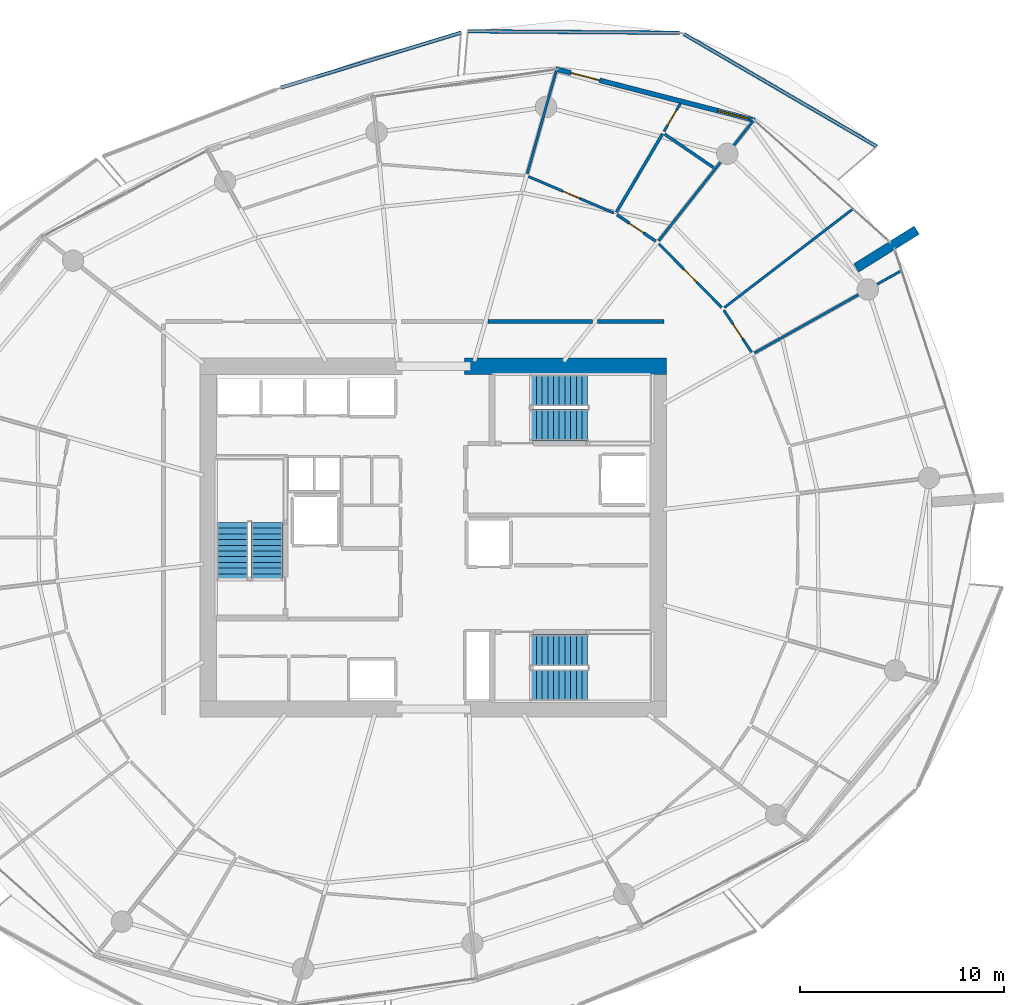
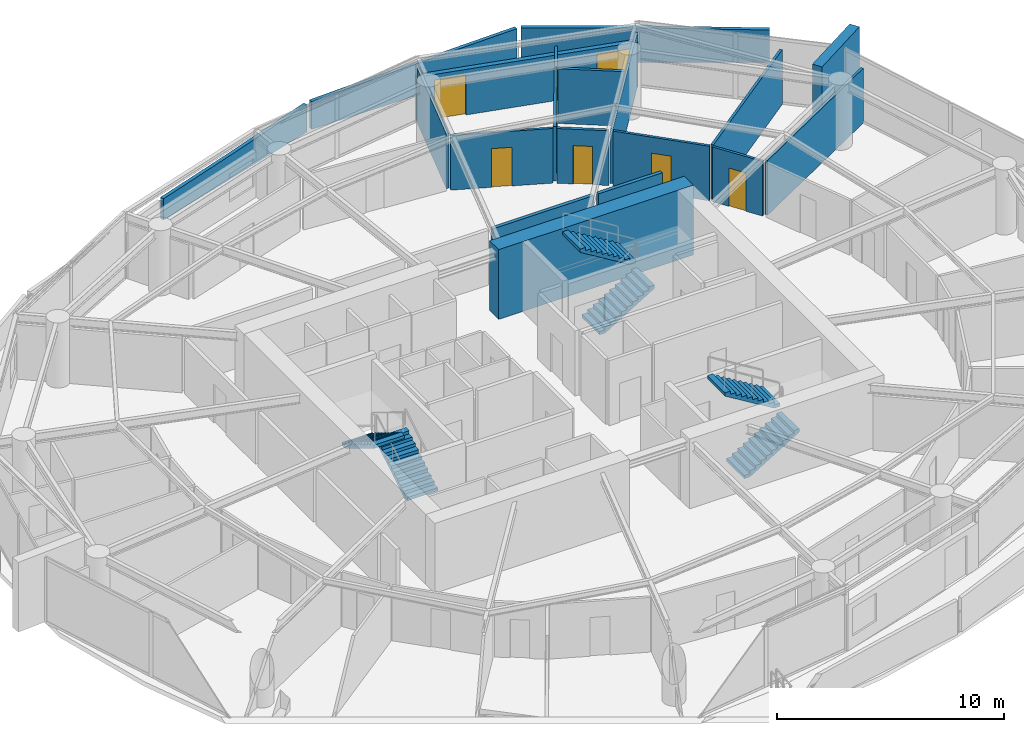
# One storey, part 15 of 20: 19 walls, 6 doors, 6 stair flights, 1 window, 7 openings, 3 elements without a shape of their own.
"""IFC4 building model written with IfcOpenShell, lengths in metres."""

import ifcopenshell
import ifcopenshell.guid

model = None  # the IFC model being written
_history = None  # IfcOwnerHistory: only IFC2X3 demands one
_inside = {}  # id of a spatial element -> (the spatial element, [elements in it])
_under = {}  # id of a project, library or spatial element -> (it, [spatial elements below it])
_declared = {}  # id of a project -> (the project, [libraries it declares])
_typed = {}  # id of a type object -> (the type object, [elements of that type])
_made_of = {}  # id of a material, layer set ... -> (it, [elements and type objects made of it])


def new_model(schema):
    """Start an empty IFC model of exactly this schema.

    Asked for "IFC4X3", IfcOpenShell would pick the latest addendum, in which some entities
    have other attributes; the version numbers below select the first issue.
    IFC2X3 requires an IfcOwnerHistory on every rooted entity: one is made here for all.
    """
    global model, _history
    if schema == "IFC4X3":
        model = ifcopenshell.file(schema_version=(4, 3, 0, 0))
    else:
        model = ifcopenshell.file(schema=schema)
    _inside.clear()
    _under.clear()
    _declared.clear()
    _typed.clear()
    _made_of.clear()
    _history = None
    if model.schema == "IFC2X3":
        org = make("IfcOrganization", Name="unknown")
        user = make(
            "IfcPersonAndOrganization",
            ThePerson=make("IfcPerson", FamilyName="unknown"),
            TheOrganization=org,
        )
        app = make(
            "IfcApplication",
            ApplicationDeveloper=org,
            Version="unknown",
            ApplicationFullName="unknown",
            ApplicationIdentifier="unknown",
        )
        _history = make(
            "IfcOwnerHistory",
            OwningUser=user,
            OwningApplication=app,
            ChangeAction="ADDED",
            CreationDate=0,
        )
    return model


def make(cls, **values):
    """One entity of the class cls with the attributes given. An attribute that is None is left unset."""
    return model.create_entity(
        cls, **{name: value for name, value in values.items() if value is not None}
    )


def rooted(cls, **values):
    """An entity with a GlobalId (a new one), such as an element, a storey or a relation."""
    return make(cls, GlobalId=ifcopenshell.guid.new(), OwnerHistory=_history, **values)


def si_unit(unit_type, name, prefix=None):
    """IfcSIUnit, for example si_unit("LENGTHUNIT", "METRE", prefix="MILLI")."""
    return make("IfcSIUnit", UnitType=unit_type, Prefix=prefix, Name=name)


def assignment(units):
    """IfcUnitAssignment: the units of a project."""
    return None if units is None else make("IfcUnitAssignment", Units=units)


def point(xyz):
    """IfcCartesianPoint."""
    return None if xyz is None else make("IfcCartesianPoint", Coordinates=xyz)


def direction(xyz):
    """IfcDirection."""
    return None if xyz is None else make("IfcDirection", DirectionRatios=xyz)


def frame(location, z_axis=None, x_axis=None):
    """IfcAxis2Placement3D, a coordinate frame: its origin and axes. An axis left out is left unset."""
    return make(
        "IfcAxis2Placement3D",
        Location=point(location),
        Axis=direction(z_axis),
        RefDirection=direction(x_axis),
    )


def frame_2d(location, x_axis=None):
    """IfcAxis2Placement2D, a coordinate frame in the plane: its origin and x axis."""
    return make(
        "IfcAxis2Placement2D", Location=point(location), RefDirection=direction(x_axis)
    )


def origin():
    """The frame at (0, 0, 0) with its axes left unset."""
    return frame((0.0, 0.0, 0.0))


def place(relative_to, where):
    """IfcLocalPlacement: puts the frame where relative to a parent placement (None: the world)."""
    return make(
        "IfcLocalPlacement", PlacementRelTo=relative_to, RelativePlacement=where
    )


def context(
    kind, dimensions, precision=None, world=None, true_north=None, identifier=None
):
    """IfcGeometricRepresentationContext, for example the 3D "Model" context."""
    return make(
        "IfcGeometricRepresentationContext",
        ContextIdentifier=identifier,
        ContextType=kind,
        CoordinateSpaceDimension=dimensions,
        Precision=precision,
        WorldCoordinateSystem=world,
        TrueNorth=true_north,
    )


def subcontext(parent, identifier, kind, view, scale=None):
    """IfcGeometricRepresentationSubContext, for example "Body" below "Model"."""
    return make(
        "IfcGeometricRepresentationSubContext",
        ContextIdentifier=identifier,
        ContextType=kind,
        ParentContext=parent,
        TargetScale=scale,
        TargetView=view,
    )


def project(units=None, contexts=None):
    """IfcProject with its units and contexts."""
    return rooted(
        "IfcProject",
        Name="project",
        RepresentationContexts=contexts,
        UnitsInContext=assignment(units),
    )


def spatial(cls, under=None, at=None, **own):
    """A site, building, storey or space (cls), placed at a placement, below another one or the project."""
    s = rooted(cls, ObjectPlacement=at, **own)
    if under is not None:
        _under.setdefault(under.id(), (under, []))[1].append(s)
    return s


def polyline(points):
    """IfcPolyline through the points."""
    return make("IfcPolyline", Points=[point(p) for p in points])


def profile(cls, at=None, kind="AREA", **sizes):
    """A parametric profile (cls). Its sizes go by their IFC names, for example OverallWidth=200.0."""
    return make(cls, ProfileType=kind, Position=at, **sizes)


def rectangle(**sizes):
    """IfcRectangleProfileDef."""
    return profile("IfcRectangleProfileDef", **sizes)


def outline(outer, holes=None, kind="AREA"):
    """IfcArbitraryClosedProfileDef: a profile drawn as a closed curve; with holes, ...WithVoids."""
    if holes is None:
        return make("IfcArbitraryClosedProfileDef", ProfileType=kind, OuterCurve=outer)
    return make(
        "IfcArbitraryProfileDefWithVoids",
        ProfileType=kind,
        OuterCurve=outer,
        InnerCurves=holes,
    )


def extrude(swept, where, along, depth):
    """IfcExtrudedAreaSolid: the profile swept, set in the frame where, extruded along a direction by depth."""
    return make(
        "IfcExtrudedAreaSolid",
        SweptArea=swept,
        Position=where,
        ExtrudedDirection=direction(along),
        Depth=depth,
    )


def shape(context_of_items, identifier, shape_type, items):
    """IfcShapeRepresentation: the items that make up one representation, for example the "Body"."""
    return make(
        "IfcShapeRepresentation",
        ContextOfItems=context_of_items,
        RepresentationIdentifier=identifier,
        RepresentationType=shape_type,
        Items=items,
    )


def material(Name=None, Category=None):
    """IfcMaterial."""
    return make("IfcMaterial", Name=Name, Category=Category)


def layer(
    of_material, thickness, ventilated=None, Name=None, Category=None, Priority=None
):
    """IfcMaterialLayer: one layer of a wall or slab, of a material (None: an air gap)."""
    return make(
        "IfcMaterialLayer",
        Material=of_material,
        LayerThickness=thickness,
        IsVentilated=ventilated,
        Name=Name,
        Category=Category,
        Priority=Priority,
    )


def layer_set(layers, Name=None):
    """IfcMaterialLayerSet."""
    return make("IfcMaterialLayerSet", MaterialLayers=layers, LayerSetName=Name)


def made_of(thing, what):
    """Note that an element or type object is made of a material, layer set ...; save() writes the relation."""
    if what is not None:
        _made_of.setdefault(what.id(), (what, []))[1].append(thing)
    return thing


def type_object(cls, material=None, **own):
    """A type object (cls), such as IfcWallType, which elements share."""
    return made_of(rooted(cls, **own), material)


def element(
    cls,
    number,
    at=None,
    inside=None,
    cuts=None,
    type_object=None,
    material=None,
    context=None,
    identifier="Body",
    shape_type=None,
    held_by="IfcProductDefinitionShape",
    body=None,
    shapes=None,
    **own,
):
    """One element of the class cls, such as IfcWall. Its Tag is "e" and its number.

    at: its placement. inside: the storey or other place that contains it. cuts: it is an
    opening in that element (IfcRelVoidsElement). A single representation is given by context,
    identifier, shape_type and body (its items); several are given by shapes. held_by: the class
    of the entity that holds the representations. save() writes the other relations.
    """
    e = rooted(cls, Tag="e%d" % number, ObjectPlacement=at, **own)
    if body is not None:
        shapes = [shape(context, identifier, shape_type, body)]
    if shapes is not None:
        e.Representation = make(held_by, Representations=shapes)
    if inside is not None:
        _inside.setdefault(inside.id(), (inside, []))[1].append(e)
    if cuts is not None:
        rooted(
            "IfcRelVoidsElement", RelatingBuildingElement=cuts, RelatedOpeningElement=e
        )
    if type_object is not None:
        _typed.setdefault(type_object.id(), (type_object, []))[1].append(e)
    return made_of(e, material)


def fill(opening, filler):
    """IfcRelFillsElement: the door or window that sits in an opening."""
    return rooted(
        "IfcRelFillsElement",
        RelatingOpeningElement=opening,
        RelatedBuildingElement=filler,
    )


def aggregate(whole, parts):
    """IfcRelAggregates: a whole, such as a stair, and the parts it consists of."""
    return rooted("IfcRelAggregates", RelatingObject=whole, RelatedObjects=parts)


def save(model, path):
    """Write the relations noted so far, then the file.

    IfcRelAggregates (storeys below a building ...), IfcRelContainedInSpatialStructure (elements
    in a storey), IfcRelDefinesByType, IfcRelAssociatesMaterial and IfcRelDeclares: one each for
    every whole, place, type object, material and project.
    """
    for whole, parts in _under.values():
        aggregate(whole, parts)
    for where, things in _inside.values():
        rooted(
            "IfcRelContainedInSpatialStructure",
            RelatedElements=things,
            RelatingStructure=where,
        )
    for kind, things in _typed.values():
        rooted("IfcRelDefinesByType", RelatedObjects=things, RelatingType=kind)
    for what, things in _made_of.values():
        rooted("IfcRelAssociatesMaterial", RelatedObjects=things, RelatingMaterial=what)
    for by, libraries in _declared.values():
        rooted("IfcRelDeclares", RelatingContext=by, RelatedDefinitions=libraries)
    model.write(path)


model = new_model("IFC4")

# Units and contexts
model_context = context("Model", 3, precision=1e-05, world=origin(), true_north=direction((0.0, 1.0)))
body_context = subcontext(model_context, "Body", "Model", "MODEL_VIEW")
ifc_project = project(units=[si_unit("LENGTHUNIT", "METRE"), si_unit("AREAUNIT", "SQUARE_METRE"), si_unit("VOLUMEUNIT", "CUBIC_METRE"), si_unit("PLANEANGLEUNIT", "RADIAN"), si_unit("MASSUNIT", "GRAM", prefix="KILO")], contexts=[model_context])

# Site, building, storey
site_placement = place(None, origin())
site = spatial("IfcSite", under=ifc_project, at=site_placement, CompositionType="ELEMENT")
building_placement = place(site_placement, origin())
building = spatial("IfcBuilding", under=site, at=building_placement, Name="Kazma Halo Residences", CompositionType="ELEMENT")
storey_placement = place(building_placement, frame((0.0, 0.0, 135.300048828125)))
storey = spatial("IfcBuildingStorey", under=building, at=storey_placement, Name="L33", CompositionType="ELEMENT", Elevation=135.300048828125)

# Walls
ifc_material_1 = material(Name="White Concrete C50/60 Balustrade", Category="concrete")
ifc_layer_1 = layer(ifc_material_1, 0.179931640625)
ifc_layer_set_1 = layer_set([ifc_layer_1], Name="White Concrete C50/60 Balustrade")
wall_type_1 = type_object("IfcWallType", Name="WL-BAL-WAVE-180", PredefinedType="PARAPET", material=ifc_layer_set_1)
wall_1_placement = place(storey_placement, frame((70.179931640625, 61.17919921875, 0.0), z_axis=(0.0, 0.0, 1.0), x_axis=(-0.863978518166, 0.503528668645, 0.0)))
element("IfcWall", 1, at=wall_1_placement, inside=storey, type_object=wall_type_1, Name="L33 white wave balustrade wall NE.1", PredefinedType="PARAPET", context=body_context, shape_type="SweptSolid", body=[
    extrude(outline(polyline([(0.0, 0.0), (10.952880859375, 0.0), (10.952880859375, 1.83203125), (5.4765625, 1.85302734375), (0.0, 1.755859375), (0.0, 0.0)])), frame((0.0, 0.08984375, 0.0), z_axis=(0.0, -1.0, 0.0), x_axis=(1.0, 0.0, 0.0)), (0.0, 0.0, 1.0), 0.179931640625),
])
wall_2_placement = place(storey_placement, frame((60.4931640625, 66.755615234375, 0.0), z_axis=(0.0, 0.0, 1.0), x_axis=(-0.999973451482, 0.007286723002, 0.0)))
element("IfcWall", 2, at=wall_2_placement, inside=storey, type_object=wall_type_1, Name="L33 white wave balustrade wall NE.2", PredefinedType="PARAPET", context=body_context, shape_type="SweptSolid", body=[
    extrude(outline(polyline([(0.0, 0.0), (10.386474609375, 0.0), (10.386474609375, 1.4970703125), (5.193115234375, 1.696044921875), (0.0, 1.83203125), (0.0, 0.0)])), frame((0.0, 0.08984375, 0.0), z_axis=(0.0, -1.0, 0.0), x_axis=(1.0, 0.0, 0.0)), (0.0, 0.0, 1.0), 0.179931640625),
])
wall_3_placement = place(storey_placement, frame((49.797119140625, 66.767578125, 0.0), z_axis=(0.0, 0.0, 1.0), x_axis=(-0.956413465024, -0.292015896691, 0.0)))
element("IfcWall", 3, at=wall_3_placement, inside=storey, type_object=wall_type_1, Name="L33 white wave balustrade wall NNW.1", PredefinedType="PARAPET", context=body_context, shape_type="SweptSolid", body=[
    extrude(outline(polyline([(0.0, 0.0), (9.244140625, 0.0), (9.244140625, 1.14794921875), (4.6220703125, 1.283935546875), (0.0, 1.48291015625), (0.0, 0.0)])), frame((0.0, 0.08984375, 0.0), z_axis=(0.0, -1.0, 0.0), x_axis=(1.0, 0.0, 0.0)), (0.0, 0.0, 1.0), 0.179931640625),
])
ifc_material_2 = material(Name="Pale Concrete C60/75", Category="concrete")
ifc_layer_2 = layer(ifc_material_2, 0.47998046875)
ifc_layer_set_2 = layer_set([ifc_layer_2], Name="Pale Concrete C60/75")
wall_type_2 = type_object("IfcWallType", Name="WL-BLADE-480", PredefinedType="SOLIDWALL", material=ifc_layer_set_2)
wall_4_placement = place(storey_placement, frame((69.165283203125, 55.2255859375, 0.0), z_axis=(0.0, 0.0, 1.0), x_axis=(0.848053161125, 0.529911158502, 0.0)))
element("IfcWall", 4, at=wall_4_placement, inside=storey, type_object=wall_type_2, Name="L33 pale concrete structural blade fin wall BW-01", PredefinedType="SOLIDWALL", context=body_context, shape_type="SweptSolid", body=[
    extrude(rectangle(XDim=3.5, YDim=0.47998046875, at=frame_2d((1.75, 0.0))), origin(), (0.0, 0.0, 1.0), 3.75),
])
ifc_material_3 = material(Name="Concrete C80/95", Category="concrete")
ifc_layer_3 = layer(ifc_material_3, 0.800048828125)
ifc_layer_set_3 = layer_set([ifc_layer_3], Name="Concrete C80/95")
wall_type_3 = type_object("IfcWallType", Name="WL-CORE-800", PredefinedType="SHEAR", material=ifc_layer_set_3)
wall_5_placement = place(storey_placement, frame((49.949951171875, 50.39990234375, 0.0), z_axis=(0.0, 0.0, 1.0), x_axis=(1.0, 0.0, 0.0)))
element("IfcWall", 5, at=wall_5_placement, inside=storey, type_object=wall_type_3, Name="L33 central core shear wall NE", PredefinedType="SHEAR", context=body_context, shape_type="SweptSolid", body=[
    extrude(rectangle(XDim=9.900146484375, YDim=0.800048828125, at=frame_2d((4.9501953125, 0.0))), origin(), (0.0, 0.0, 1.0), 3.75),
])
ifc_material_4 = material(Name="Acoustic Twin-Stud Gypsum")
ifc_layer_4 = layer(ifc_material_4, 0.179931640625)
ifc_layer_set_4 = layer_set([ifc_layer_4], Name="Acoustic Twin-Stud Gypsum")
wall_type_4 = type_object("IfcWallType", Name="WL-DEM-180", PredefinedType="PARTITIONING", material=ifc_layer_set_4)
wall_6_placement = place(storey_placement, frame((59.72998046875, 52.60009765625, 0.0), z_axis=(0.0, 0.0, 1.0), x_axis=(-1.0, 0.0, 0.0)))
element("IfcWall", 6, at=wall_6_placement, inside=storey, type_object=wall_type_4, Name="L33 Apartment 2 inner wall 0", PredefinedType="PARTITIONING", context=body_context, shape_type="SweptSolid", body=[
    extrude(rectangle(XDim=3.253662109375, YDim=0.179931640625, at=frame_2d((1.626953125, 0.0))), origin(), (0.0, 0.0, 1.0), 2.93994140625),
])
wall_7_placement = place(storey_placement, frame((56.236328125, 52.60009765625, 0.0), z_axis=(0.0, 0.0, 1.0), x_axis=(-1.0, 0.0, 0.0)))
element("IfcWall", 7, at=wall_7_placement, inside=storey, type_object=wall_type_4, Name="L33 Apartment 2 inner wall 1", PredefinedType="PARTITIONING", context=body_context, shape_type="SweptSolid", body=[
    extrude(rectangle(XDim=5.126708984375, YDim=0.179931640625, at=frame_2d((2.5634765625, 0.0))), origin(), (0.0, 0.0, 1.0), 2.93994140625),
])

# Wall, openings, door, window
ifc_material_5 = material(Name="Insulated Pale-Metal Composite Wall")
ifc_layer_5 = layer(ifc_material_5, 0.239990234375)
ifc_layer_set_5 = layer_set([ifc_layer_5], Name="Insulated Pale-Metal Composite Wall")
wall_type_5 = type_object("IfcWallType", Name="WL-EXT-HOST-240", PredefinedType="SOLIDWALL", material=ifc_layer_set_5)
wall_8_placement = place(storey_placement, frame((64.192138671875, 62.4658203125, 0.0), z_axis=(0.0, 0.0, 1.0), x_axis=(-0.968379685126, 0.249481032214, 0.0)))
wall_8 = element("IfcWall", 8, at=wall_8_placement, inside=storey, type_object=wall_type_5, Name="L33 exterior terrace-access wall B02", PredefinedType="SOLIDWALL", context=body_context, shape_type="SweptSolid", body=[
    extrude(rectangle(XDim=10.08154296875, YDim=0.239990234375, at=frame_2d((5.040771484375, 0.0))), origin(), (0.0, 0.0, 1.0), 2.449951171875),
])
opening_1_placement = place(wall_8_placement, frame((7.861572265625, 0.0, 0.0)))
opening_1 = element("IfcOpeningElement", 9, at=opening_1_placement, cuts=wall_8, Name="Opening DTR-1600", PredefinedType="OPENING", context=body_context, shape_type="SweptSolid", body=[
    extrude(rectangle(XDim=1.449951171875, YDim=2.14990234375, at=frame_2d((0.72509765625, 1.074951171875))), frame((0.0, 0.1298828125, 0.0), z_axis=(0.0, -1.0, 0.0), x_axis=(1.0, 0.0, 0.0)), (0.0, 0.0, 1.0), 0.260009765625),
])
opening_2_placement = place(wall_8_placement, frame((0.280029296875, 0.0, 0.64990234375)))
opening_2 = element("IfcOpeningElement", 10, at=opening_2_placement, cuts=wall_8, Name="Opening W-1800", PredefinedType="OPENING", context=body_context, shape_type="SweptSolid", body=[
    extrude(rectangle(XDim=1.60009765625, YDim=1.5, at=frame_2d((0.800048828125, 0.75))), frame((0.0, 0.1298828125, 0.0), z_axis=(0.0, -1.0, 0.0), x_axis=(1.0, 0.0, 0.0)), (0.0, 0.0, 1.0), 0.260009765625),
])
ifc_material_6 = material(Name="Aluminium AW-6063 T6 Double-Glazed Terrace Door", Category="aluminium")
door_type_1 = type_object("IfcDoorType", Name="DR-EXT-TERR-1600", OperationType="NOTDEFINED", PredefinedType="DOOR", material=ifc_material_6)
door_1_placement = place(opening_1_placement, origin())
door_1 = element("IfcDoor", 11, at=door_1_placement, inside=storey, type_object=door_type_1, Name="L33 B02 balcony terrace door", OperationType="DOUBLE_DOOR_SLIDING", OverallHeight=2.14990234375, OverallWidth=1.449951171875, PredefinedType="DOOR", context=body_context, shape_type="SweptSolid", body=[
    extrude(rectangle(XDim=1.449951171875, YDim=2.14990234375, at=frame_2d((0.72509765625, 1.074951171875))), frame((0.0, 0.02490234375, 0.0), z_axis=(0.0, -1.0, 0.0), x_axis=(1.0, 0.0, 0.0)), (0.0, 0.0, 1.0), 0.050048828125),
])
fill(opening_1, door_1)
ifc_material_7 = material(Name="Clear Triple-Silver Low-E Glass in Aluminium AW-6063 T6 Frame", Category="aluminium")
window_type = type_object("IfcWindowType", Name="WIN-RES-1800", PartitioningType="DOUBLE_PANEL_VERTICAL", PredefinedType="WINDOW", material=ifc_material_7)
window_placement = place(opening_2_placement, origin())
window = element("IfcWindow", 12, at=window_placement, inside=storey, type_object=window_type, Name="L33 B02 apartment window", OverallHeight=1.5, OverallWidth=1.60009765625, PartitioningType="SINGLE_PANEL", PredefinedType="WINDOW", context=body_context, shape_type="SweptSolid", body=[
    extrude(rectangle(XDim=1.60009765625, YDim=1.5, at=frame_2d((0.800048828125, 0.75))), frame((0.0, 0.030029296875, 0.0), z_axis=(0.0, -1.0, 0.0), x_axis=(1.0, 0.0, 0.0)), (0.0, 0.0, 1.0), 0.06005859375),
])
fill(opening_2, window)

# Walls
ifc_material_8 = material(Name="Gypsum Plasterboard Partition")
ifc_layer_6 = layer(ifc_material_8, 0.125)
ifc_layer_set_6 = layer_set([ifc_layer_6], Name="Gypsum Plasterboard Partition")
wall_type_6 = type_object("IfcWallType", Name="WL-PART-125", PredefinedType="PARTITIONING", material=ifc_layer_set_6)
wall_9_placement = place(storey_placement, frame((64.17529296875, 51.05859375, 0.0), z_axis=(0.0, 0.0, 1.0), x_axis=(0.872491881101, 0.488628608877, 0.0)))
element("IfcWall", 13, at=wall_9_placement, inside=storey, type_object=wall_type_6, Name="L33 Apartment 2 radial partition 0", PredefinedType="PARTITIONING", context=body_context, shape_type="SweptSolid", body=[
    extrude(rectangle(XDim=8.2470703125, YDim=0.125, at=frame_2d((4.12353515625, 0.0))), origin(), (0.0, 0.0, 1.0), 2.93994140625),
])
wall_10_placement = place(storey_placement, frame((62.698486328125, 53.28173828125, 0.0), z_axis=(0.0, 0.0, 1.0), x_axis=(0.793282323501, 0.608853968715, 0.0)))
element("IfcWall", 14, at=wall_10_placement, inside=storey, type_object=wall_type_6, Name="L33 Apartment 2 mid-bay wall 0", PredefinedType="PARTITIONING", context=body_context, shape_type="SweptSolid", body=[
    extrude(rectangle(XDim=7.92138671875, YDim=0.125, at=frame_2d((3.960693359375, 0.0))), origin(), (0.0, 0.0, 1.0), 2.93994140625),
])

# Wall, opening, door
wall_11_placement = place(storey_placement, frame((64.032958984375, 51.09326171875, 0.0), z_axis=(0.0, 0.0, 1.0), x_axis=(-0.550185204933, 0.835042657756, 0.0)))
wall_11 = element("IfcWall", 15, at=wall_11_placement, inside=storey, type_object=wall_type_6, Name="L33 Apartment 2 North Dressing Wardrobe hall wall", PredefinedType="PARTITIONING", context=body_context, shape_type="SweptSolid", body=[
    extrude(rectangle(XDim=2.47509765625, YDim=0.125, at=frame_2d((1.237548828125, 0.0))), origin(), (0.0, 0.0, 1.0), 2.93994140625),
])
opening_3_placement = place(wall_11_placement, frame((0.8125, 0.0, 0.0)))
opening_3 = element("IfcOpeningElement", 16, at=opening_3_placement, cuts=wall_11, Name="Opening DB-900", PredefinedType="OPENING", context=body_context, shape_type="SweptSolid", body=[
    extrude(rectangle(XDim=0.85009765625, YDim=2.06005859375, at=frame_2d((0.425048828125, 1.030029296875))), frame((0.0, 0.072509765625, 0.0), z_axis=(0.0, -1.0, 0.0), x_axis=(1.0, 0.0, 0.0)), (0.0, 0.0, 1.0), 0.14501953125),
])
ifc_material_9 = material(Name="Moisture-Sealed Timber Leaf", Category="wood")
door_type_2 = type_object("IfcDoorType", Name="DR-BTH-900", OperationType="NOTDEFINED", PredefinedType="DOOR", material=ifc_material_9)
door_2_placement = place(opening_3_placement, origin())
door_2 = element("IfcDoor", 17, at=door_2_placement, inside=storey, type_object=door_type_2, Name="L33 Apartment 2 North Dressing Wardrobe door", OperationType="SINGLE_SWING_RIGHT", OverallHeight=2.06005859375, OverallWidth=0.85009765625, PredefinedType="DOOR", context=body_context, shape_type="SweptSolid", body=[
    extrude(rectangle(XDim=0.85009765625, YDim=2.06005859375, at=frame_2d((0.425048828125, 1.030029296875))), frame((0.0, 0.02490234375, 0.0), z_axis=(0.0, -1.0, 0.0), x_axis=(1.0, 0.0, 0.0)), (0.0, 0.0, 1.0), 0.050048828125),
])
fill(opening_3, door_2)

wall_12_placement = place(storey_placement, frame((62.571044921875, 53.28369140625, 0.0), z_axis=(0.0, 0.0, 1.0), x_axis=(-0.702505636164, 0.711678179487, 0.0)))
wall_12 = element("IfcWall", 18, at=wall_12_placement, inside=storey, type_object=wall_type_6, Name="L33 Apartment 2 South Master Bedroom hall wall", PredefinedType="PARTITIONING", context=body_context, shape_type="SweptSolid", body=[
    extrude(rectangle(XDim=4.3916015625, YDim=0.125, at=frame_2d((2.19580078125, 0.0))), origin(), (0.0, 0.0, 1.0), 2.93994140625),
])
opening_4_placement = place(wall_12_placement, frame((1.745849609375, 0.0, 0.0)))
opening_4 = element("IfcOpeningElement", 19, at=opening_4_placement, cuts=wall_12, Name="Opening DI-950", PredefinedType="OPENING", context=body_context, shape_type="SweptSolid", body=[
    extrude(rectangle(XDim=0.89990234375, YDim=2.080078125, at=frame_2d((0.449951171875, 1.0400390625))), frame((0.0, 0.072509765625, 0.0), z_axis=(0.0, -1.0, 0.0), x_axis=(1.0, 0.0, 0.0)), (0.0, 0.0, 1.0), 0.14501953125),
])
ifc_material_10 = material(Name="Timber Veneer Flush Leaf", Category="wood")
door_type_3 = type_object("IfcDoorType", Name="DR-INT-950", OperationType="NOTDEFINED", PredefinedType="DOOR", material=ifc_material_10)
door_3_placement = place(opening_4_placement, origin())
door_3 = element("IfcDoor", 20, at=door_3_placement, inside=storey, type_object=door_type_3, Name="L33 Apartment 2 South Master Bedroom door", OperationType="SINGLE_SWING_LEFT", OverallHeight=2.080078125, OverallWidth=0.89990234375, PredefinedType="DOOR", context=body_context, shape_type="SweptSolid", body=[
    extrude(rectangle(XDim=0.89990234375, YDim=2.080078125, at=frame_2d((0.449951171875, 1.0400390625))), frame((0.0, 0.02490234375, 0.0), z_axis=(0.0, -1.0, 0.0), x_axis=(1.0, 0.0, 0.0)), (0.0, 0.0, 1.0), 0.050048828125),
])
fill(opening_4, door_3)

# Wall
wall_13_placement = place(storey_placement, frame((59.477294921875, 56.55908203125, 0.0), z_axis=(0.0, 0.0, 1.0), x_axis=(0.619110986016, 0.785303499925, 0.0)))
element("IfcWall", 21, at=wall_13_placement, inside=storey, type_object=wall_type_6, Name="L33 Apartment 2 radial partition 1", PredefinedType="PARTITIONING", context=body_context, shape_type="SweptSolid", body=[
    extrude(rectangle(XDim=7.5126953125, YDim=0.125, at=frame_2d((3.75634765625, 0.0))), origin(), (0.0, 0.0, 1.0), 2.93994140625),
])

# Wall, opening, door
wall_14_placement = place(storey_placement, frame((59.7373046875, 61.91796875, 0.0), z_axis=(0.0, 0.0, 1.0), x_axis=(0.507633052519, 0.86157337702, 0.0)))
wall_14 = element("IfcWall", 22, at=wall_14_placement, inside=storey, type_object=wall_type_6, Name="L33 Apartment 2 Outer Walk-In Wardrobe partition wall", PredefinedType="PARTITIONING", context=body_context, shape_type="SweptSolid", body=[
    extrude(rectangle(XDim=1.583740234375, YDim=0.125, at=frame_2d((0.7919921875, 0.0))), origin(), (0.0, 0.0, 1.0), 2.93994140625),
])
opening_5_placement = place(wall_14_placement, frame((0.366943359375, 0.0, 0.0)))
opening_5 = element("IfcOpeningElement", 23, at=opening_5_placement, cuts=wall_14, Name="Opening DB-900", PredefinedType="OPENING", context=body_context, shape_type="SweptSolid", body=[
    extrude(rectangle(XDim=0.85009765625, YDim=2.06005859375, at=frame_2d((0.425048828125, 1.030029296875))), frame((0.0, 0.072509765625, 0.0), z_axis=(0.0, -1.0, 0.0), x_axis=(1.0, 0.0, 0.0)), (0.0, 0.0, 1.0), 0.14501953125),
])
door_4_placement = place(opening_5_placement, origin())
door_4 = element("IfcDoor", 24, at=door_4_placement, inside=storey, type_object=door_type_2, Name="L33 Apartment 2 Outer Walk-In Wardrobe door", OperationType="SINGLE_SWING_RIGHT", OverallHeight=2.06005859375, OverallWidth=0.85009765625, PredefinedType="DOOR", context=body_context, shape_type="SweptSolid", body=[
    extrude(rectangle(XDim=0.85009765625, YDim=2.06005859375, at=frame_2d((0.425048828125, 1.030029296875))), frame((0.0, 0.02490234375, 0.0), z_axis=(0.0, -1.0, 0.0), x_axis=(1.0, 0.0, 0.0)), (0.0, 0.0, 1.0), 0.050048828125),
])
fill(opening_5, door_4)

wall_15_placement = place(storey_placement, frame((57.278564453125, 57.92138671875, 0.0), z_axis=(0.0, 0.0, 1.0), x_axis=(-0.919613735451, 0.392823850561, 0.0)))
wall_15 = element("IfcWall", 25, at=wall_15_placement, inside=storey, type_object=wall_type_6, Name="L33 Apartment 2 Corner Master Bedroom hall wall", PredefinedType="PARTITIONING", context=body_context, shape_type="SweptSolid", body=[
    extrude(rectangle(XDim=4.546875, YDim=0.125, at=frame_2d((2.2734375, 0.0))), origin(), (0.0, 0.0, 1.0), 2.93994140625),
])
opening_6_placement = place(wall_15_placement, frame((1.823486328125, 0.0, 0.0)))
opening_6 = element("IfcOpeningElement", 26, at=opening_6_placement, cuts=wall_15, Name="Opening DI-950", PredefinedType="OPENING", context=body_context, shape_type="SweptSolid", body=[
    extrude(rectangle(XDim=0.89990234375, YDim=2.080078125, at=frame_2d((0.449951171875, 1.0400390625))), frame((0.0, 0.072509765625, 0.0), z_axis=(0.0, -1.0, 0.0), x_axis=(1.0, 0.0, 0.0)), (0.0, 0.0, 1.0), 0.14501953125),
])
door_5_placement = place(opening_6_placement, origin())
door_5 = element("IfcDoor", 27, at=door_5_placement, inside=storey, type_object=door_type_3, Name="L33 Apartment 2 Corner Master Bedroom door", OperationType="SINGLE_SWING_LEFT", OverallHeight=2.080078125, OverallWidth=0.89990234375, PredefinedType="DOOR", context=body_context, shape_type="SweptSolid", body=[
    extrude(rectangle(XDim=0.89990234375, YDim=2.080078125, at=frame_2d((0.449951171875, 1.0400390625))), frame((0.0, 0.02490234375, 0.0), z_axis=(0.0, -1.0, 0.0), x_axis=(1.0, 0.0, 0.0)), (0.0, 0.0, 1.0), 0.050048828125),
])
fill(opening_6, door_5)

# Wall
wall_16_placement = place(storey_placement, frame((53.0322265625, 59.843017578125, 0.0), z_axis=(0.0, 0.0, 1.0), x_axis=(0.271445669276, 0.962453764412, 0.0)))
element("IfcWall", 28, at=wall_16_placement, inside=storey, type_object=wall_type_6, Name="L33 Apartment 2 radial partition 2", PredefinedType="PARTITIONING", context=body_context, shape_type="SweptSolid", body=[
    extrude(rectangle(XDim=5.200439453125, YDim=0.125, at=frame_2d((2.60009765625, 0.0))), origin(), (0.0, 0.0, 1.0), 2.93994140625),
])

# Wall, opening, door
ifc_material_11 = material(Name="Moisture-Resistant Gypsum")
ifc_layer_7 = layer(ifc_material_11, 0.14990234375)
ifc_layer_set_7 = layer_set([ifc_layer_7], Name="Moisture-Resistant Gypsum")
wall_type_7 = type_object("IfcWallType", Name="WL-WET-150", PredefinedType="PARTITIONING", material=ifc_layer_set_7)
wall_17_placement = place(storey_placement, frame((59.3330078125, 56.537109375, 0.0), z_axis=(0.0, 0.0, 1.0), x_axis=(-0.825341121682, 0.564634424084, 0.0)))
wall_17 = element("IfcWall", 29, at=wall_17_placement, inside=storey, type_object=wall_type_7, Name="L33 Apartment 2 Inner En-Suite Bathroom hall wall", PredefinedType="PARTITIONING", context=body_context, shape_type="SweptSolid", body=[
    extrude(rectangle(XDim=2.299072265625, YDim=0.14990234375, at=frame_2d((1.1494140625, 0.0))), origin(), (0.0, 0.0, 1.0), 2.93994140625),
])
opening_7_placement = place(wall_17_placement, frame((0.724609375, 0.0, 0.0)))
opening_7 = element("IfcOpeningElement", 30, at=opening_7_placement, cuts=wall_17, Name="Opening DB-900", PredefinedType="OPENING", context=body_context, shape_type="SweptSolid", body=[
    extrude(rectangle(XDim=0.85009765625, YDim=2.06005859375, at=frame_2d((0.425048828125, 1.030029296875))), frame((0.0, 0.0849609375, 0.0), z_axis=(0.0, -1.0, 0.0), x_axis=(1.0, 0.0, 0.0)), (0.0, 0.0, 1.0), 0.169921875),
])
door_6_placement = place(opening_7_placement, origin())
door_6 = element("IfcDoor", 31, at=door_6_placement, inside=storey, type_object=door_type_2, Name="L33 Apartment 2 Inner En-Suite Bathroom door", OperationType="SINGLE_SWING_LEFT", OverallHeight=2.06005859375, OverallWidth=0.85009765625, PredefinedType="DOOR", context=body_context, shape_type="SweptSolid", body=[
    extrude(rectangle(XDim=0.85009765625, YDim=2.06005859375, at=frame_2d((0.425048828125, 1.030029296875))), frame((0.0, 0.02490234375, 0.0), z_axis=(0.0, -1.0, 0.0), x_axis=(1.0, 0.0, 0.0)), (0.0, 0.0, 1.0), 0.050048828125),
])
fill(opening_7, door_6)

# Walls
wall_18_placement = place(storey_placement, frame((62.174560546875, 60.1416015625, 0.0), z_axis=(0.0, 0.0, 1.0), x_axis=(-0.825323675893, 0.564659924212, 0.0)))
element("IfcWall", 32, at=wall_18_placement, inside=storey, type_object=wall_type_7, Name="L33 Apartment 2 Inner En-Suite Bathroom back wall", PredefinedType="PARTITIONING", context=body_context, shape_type="SweptSolid", body=[
    extrude(rectangle(XDim=2.91845703125, YDim=0.14990234375, at=frame_2d((1.459228515625, 0.0))), origin(), (0.0, 0.0, 1.0), 2.93994140625),
])
wall_19_placement = place(storey_placement, frame((57.406982421875, 57.96337890625, 0.0), z_axis=(0.0, 0.0, 1.0), x_axis=(0.507701739566, 0.8615329034, 0.0)))
element("IfcWall", 33, at=wall_19_placement, inside=storey, type_object=wall_type_7, Name="L33 Apartment 2 Inner En-Suite Bathroom side wall", PredefinedType="PARTITIONING", context=body_context, shape_type="SweptSolid", body=[
    extrude(rectangle(XDim=4.460205078125, YDim=0.14990234375, at=frame_2d((2.22998046875, 0.0))), origin(), (0.0, 0.0, 1.0), 2.93994140625),
])

# Stair, stair flights
ifc_material_12 = material(Name="Concrete C50/60", Category="concrete")
stair_type = type_object("IfcStairType", Name="STR-RES1", PredefinedType="HALF_TURN_STAIR", material=ifc_material_12)
stair_1_placement = place(storey_placement, origin())
stair_1 = element("IfcStair", 34, at=stair_1_placement, inside=storey, type_object=stair_type, Name="L33 Core exit stair ST-01", PredefinedType="HALF_TURN_STAIR")
stair_flight_type = type_object("IfcStairFlightType", Name="STR-RES1-FLT", PredefinedType="STRAIGHT", material=ifc_material_12)
stair_flight_1_placement = place(storey_placement, frame((40.27490234375, 39.949951171875, 0.0), z_axis=(0.0, 0.0, 1.0), x_axis=(0.0, 1.0, 0.0)))
stair_flight_1 = element("IfcStairFlight", 35, at=stair_flight_1_placement, type_object=stair_flight_type, Name="ST-01 flight 1", NumberOfRisers=11, NumberOfTreads=10, PredefinedType="STRAIGHT", RiserHeight=0.170454545, TreadLength=0.28, context=body_context, shape_type="SweptSolid", body=[
    extrude(outline(polyline([(0.0, 0.0), (0.0, 0.17041015625), (0.280029296875, 0.17041015625), (0.280029296875, 0.3408203125), (0.56005859375, 0.3408203125), (0.56005859375, 0.511474609375), (0.840087890625, 0.511474609375), (0.840087890625, 0.681884765625), (1.1201171875, 0.681884765625), (1.1201171875, 0.852294921875), (1.39990234375, 0.852294921875), (1.39990234375, 1.022705078125), (1.679931640625, 1.022705078125), (1.679931640625, 1.193115234375), (1.9599609375, 1.193115234375), (1.9599609375, 1.363525390625), (2.239990234375, 1.363525390625), (2.239990234375, 1.5341796875), (2.52001953125, 1.5341796875), (2.52001953125, 1.70458984375), (2.800048828125, 1.70458984375), (2.800048828125, 1.875), (2.800048828125, 1.529052734375), (0.288330078125, 0.0), (0.0, 0.0)])), frame((0.0, 0.77490234375, 0.0), z_axis=(0.0, -1.0, 0.0), x_axis=(1.0, 0.0, 0.0)), (0.0, 0.0, 1.0), 1.550048828125),
])
stair_flight_2_placement = place(storey_placement, frame((38.574951171875, 42.75, 1.875), z_axis=(0.0, 0.0, 1.0), x_axis=(0.0, -1.0, 0.0)))
stair_flight_2 = element("IfcStairFlight", 36, at=stair_flight_2_placement, type_object=stair_flight_type, Name="ST-01 flight 2", NumberOfRisers=11, NumberOfTreads=10, PredefinedType="STRAIGHT", RiserHeight=0.170454545, TreadLength=0.28, context=body_context, shape_type="SweptSolid", body=[
    extrude(outline(polyline([(0.0, 0.0), (0.0, 0.17041015625), (0.280029296875, 0.17041015625), (0.280029296875, 0.3408203125), (0.56005859375, 0.3408203125), (0.56005859375, 0.511474609375), (0.840087890625, 0.511474609375), (0.840087890625, 0.681884765625), (1.1201171875, 0.681884765625), (1.1201171875, 0.852294921875), (1.39990234375, 0.852294921875), (1.39990234375, 1.022705078125), (1.679931640625, 1.022705078125), (1.679931640625, 1.193115234375), (1.9599609375, 1.193115234375), (1.9599609375, 1.363525390625), (2.239990234375, 1.363525390625), (2.239990234375, 1.5341796875), (2.52001953125, 1.5341796875), (2.52001953125, 1.70458984375), (2.800048828125, 1.70458984375), (2.800048828125, 1.875), (2.800048828125, 1.529052734375), (0.288330078125, 0.0), (0.0, 0.0)])), frame((0.0, 0.77490234375, 0.0), z_axis=(0.0, -1.0, 0.0), x_axis=(1.0, 0.0, 0.0)), (0.0, 0.0, 1.0), 1.550048828125),
])
aggregate(stair_1, [stair_flight_1, stair_flight_2])

stair_2_placement = place(storey_placement, origin())
stair_2 = element("IfcStair", 37, at=stair_2_placement, inside=storey, type_object=stair_type, Name="L33 Core exit stair ST-02", PredefinedType="HALF_TURN_STAIR")
stair_flight_3_placement = place(storey_placement, frame((53.199951171875, 47.52490234375, 0.0), z_axis=(0.0, 0.0, 1.0), x_axis=(1.0, 0.0, 0.0)))
stair_flight_3 = element("IfcStairFlight", 38, at=stair_flight_3_placement, type_object=stair_flight_type, Name="ST-02 flight 1", NumberOfRisers=11, NumberOfTreads=10, PredefinedType="STRAIGHT", RiserHeight=0.170454545, TreadLength=0.28, context=body_context, shape_type="SweptSolid", body=[
    extrude(outline(polyline([(0.0, 0.0), (0.0, 0.17041015625), (0.280029296875, 0.17041015625), (0.280029296875, 0.3408203125), (0.56005859375, 0.3408203125), (0.56005859375, 0.511474609375), (0.840087890625, 0.511474609375), (0.840087890625, 0.681884765625), (1.1201171875, 0.681884765625), (1.1201171875, 0.852294921875), (1.39990234375, 0.852294921875), (1.39990234375, 1.022705078125), (1.679931640625, 1.022705078125), (1.679931640625, 1.193115234375), (1.9599609375, 1.193115234375), (1.9599609375, 1.363525390625), (2.239990234375, 1.363525390625), (2.239990234375, 1.5341796875), (2.52001953125, 1.5341796875), (2.52001953125, 1.70458984375), (2.800048828125, 1.70458984375), (2.800048828125, 1.875), (2.800048828125, 1.529052734375), (0.288330078125, 0.0), (0.0, 0.0)])), frame((0.0, 0.77490234375, 0.0), z_axis=(0.0, -1.0, 0.0), x_axis=(1.0, 0.0, 0.0)), (0.0, 0.0, 1.0), 1.550048828125),
])
stair_flight_4_placement = place(storey_placement, frame((56.0, 49.22509765625, 1.875), z_axis=(0.0, 0.0, 1.0), x_axis=(-1.0, 0.0, 0.0)))
stair_flight_4 = element("IfcStairFlight", 39, at=stair_flight_4_placement, type_object=stair_flight_type, Name="ST-02 flight 2", NumberOfRisers=11, NumberOfTreads=10, PredefinedType="STRAIGHT", RiserHeight=0.170454545, TreadLength=0.28, context=body_context, shape_type="SweptSolid", body=[
    extrude(outline(polyline([(0.0, 0.0), (0.0, 0.17041015625), (0.280029296875, 0.17041015625), (0.280029296875, 0.3408203125), (0.56005859375, 0.3408203125), (0.56005859375, 0.511474609375), (0.840087890625, 0.511474609375), (0.840087890625, 0.681884765625), (1.1201171875, 0.681884765625), (1.1201171875, 0.852294921875), (1.39990234375, 0.852294921875), (1.39990234375, 1.022705078125), (1.679931640625, 1.022705078125), (1.679931640625, 1.193115234375), (1.9599609375, 1.193115234375), (1.9599609375, 1.363525390625), (2.239990234375, 1.363525390625), (2.239990234375, 1.5341796875), (2.52001953125, 1.5341796875), (2.52001953125, 1.70458984375), (2.800048828125, 1.70458984375), (2.800048828125, 1.875), (2.800048828125, 1.529052734375), (0.288330078125, 0.0), (0.0, 0.0)])), frame((0.0, 0.77490234375, 0.0), z_axis=(0.0, -1.0, 0.0), x_axis=(1.0, 0.0, 0.0)), (0.0, 0.0, 1.0), 1.550048828125),
])
aggregate(stair_2, [stair_flight_3, stair_flight_4])

stair_3_placement = place(storey_placement, origin())
stair_3 = element("IfcStair", 40, at=stair_3_placement, inside=storey, type_object=stair_type, Name="L33 Core exit stair ST-03", PredefinedType="HALF_TURN_STAIR")
stair_flight_5_placement = place(storey_placement, frame((53.199951171875, 34.77490234375, 0.0), z_axis=(0.0, 0.0, 1.0), x_axis=(1.0, 0.0, 0.0)))
stair_flight_5 = element("IfcStairFlight", 41, at=stair_flight_5_placement, type_object=stair_flight_type, Name="ST-03 flight 1", NumberOfRisers=11, NumberOfTreads=10, PredefinedType="STRAIGHT", RiserHeight=0.170454545, TreadLength=0.28, context=body_context, shape_type="SweptSolid", body=[
    extrude(outline(polyline([(0.0, 0.0), (0.0, 0.17041015625), (0.280029296875, 0.17041015625), (0.280029296875, 0.3408203125), (0.56005859375, 0.3408203125), (0.56005859375, 0.511474609375), (0.840087890625, 0.511474609375), (0.840087890625, 0.681884765625), (1.1201171875, 0.681884765625), (1.1201171875, 0.852294921875), (1.39990234375, 0.852294921875), (1.39990234375, 1.022705078125), (1.679931640625, 1.022705078125), (1.679931640625, 1.193115234375), (1.9599609375, 1.193115234375), (1.9599609375, 1.363525390625), (2.239990234375, 1.363525390625), (2.239990234375, 1.5341796875), (2.52001953125, 1.5341796875), (2.52001953125, 1.70458984375), (2.800048828125, 1.70458984375), (2.800048828125, 1.875), (2.800048828125, 1.529052734375), (0.288330078125, 0.0), (0.0, 0.0)])), frame((0.0, 0.77490234375, 0.0), z_axis=(0.0, -1.0, 0.0), x_axis=(1.0, 0.0, 0.0)), (0.0, 0.0, 1.0), 1.550048828125),
])
stair_flight_6_placement = place(storey_placement, frame((56.0, 36.47509765625, 1.875), z_axis=(0.0, 0.0, 1.0), x_axis=(-1.0, 0.0, 0.0)))
stair_flight_6 = element("IfcStairFlight", 42, at=stair_flight_6_placement, type_object=stair_flight_type, Name="ST-03 flight 2", NumberOfRisers=11, NumberOfTreads=10, PredefinedType="STRAIGHT", RiserHeight=0.170454545, TreadLength=0.28, context=body_context, shape_type="SweptSolid", body=[
    extrude(outline(polyline([(0.0, 0.0), (0.0, 0.17041015625), (0.280029296875, 0.17041015625), (0.280029296875, 0.3408203125), (0.56005859375, 0.3408203125), (0.56005859375, 0.511474609375), (0.840087890625, 0.511474609375), (0.840087890625, 0.681884765625), (1.1201171875, 0.681884765625), (1.1201171875, 0.852294921875), (1.39990234375, 0.852294921875), (1.39990234375, 1.022705078125), (1.679931640625, 1.022705078125), (1.679931640625, 1.193115234375), (1.9599609375, 1.193115234375), (1.9599609375, 1.363525390625), (2.239990234375, 1.363525390625), (2.239990234375, 1.5341796875), (2.52001953125, 1.5341796875), (2.52001953125, 1.70458984375), (2.800048828125, 1.70458984375), (2.800048828125, 1.875), (2.800048828125, 1.529052734375), (0.288330078125, 0.0), (0.0, 0.0)])), frame((0.0, 0.77490234375, 0.0), z_axis=(0.0, -1.0, 0.0), x_axis=(1.0, 0.0, 0.0)), (0.0, 0.0, 1.0), 1.550048828125),
])
aggregate(stair_3, [stair_flight_5, stair_flight_6])

save(model, "model.ifc")
